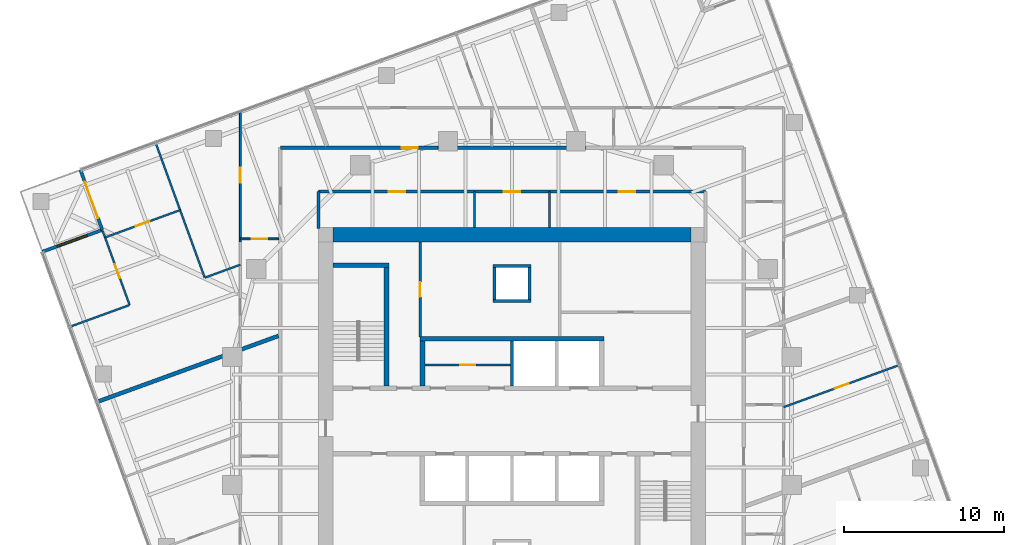
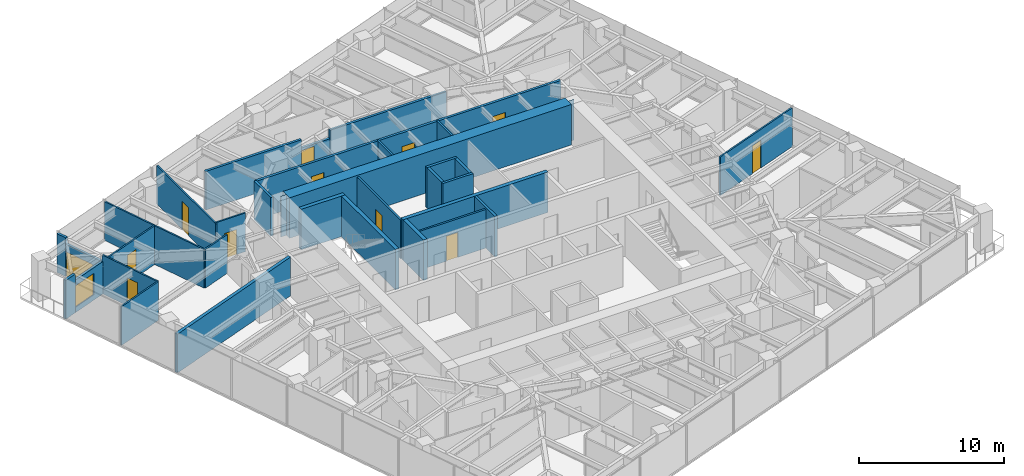
# One storey, part 10 of 13: 32 walls, 12 doors, 1 window, 13 openings.
"""IFC4 building model written with IfcOpenShell, lengths in metres."""

from ifc_helpers import new_model, si_unit, direction, frame, frame_2d, origin, place, context, subcontext, project, spatial, polyline, rectangle, outline, extrude, material, layer, layer_set, type_object, element, fill, save


model = new_model("IFC4")

# Units and contexts
model_context = context("Model", 3, precision=1e-05, world=origin(), true_north=direction((0.0, 1.0)))
body_context = subcontext(model_context, "Body", "Model", "MODEL_VIEW")
ifc_project = project(units=[si_unit("LENGTHUNIT", "METRE"), si_unit("AREAUNIT", "SQUARE_METRE"), si_unit("VOLUMEUNIT", "CUBIC_METRE"), si_unit("PLANEANGLEUNIT", "RADIAN"), si_unit("MASSUNIT", "GRAM", prefix="KILO")], contexts=[model_context])

# Site, building, storey
site_placement = place(None, origin())
site = spatial("IfcSite", under=ifc_project, at=site_placement, CompositionType="ELEMENT")
building_placement = place(site_placement, origin())
building = spatial("IfcBuilding", under=site, at=building_placement, Name="Torsade Residences", CompositionType="ELEMENT")
storey_placement = place(building_placement, frame((0.0, 0.0, 157.39990234375)))
storey = spatial("IfcBuildingStorey", under=building, at=storey_placement, Name="L43", CompositionType="ELEMENT", Elevation=157.39990234375)

# Walls
ifc_material_1 = material(Name="Concrete 80 MPa", Category="concrete")
ifc_layer_1 = layer(ifc_material_1, 0.300048828125)
ifc_layer_set_1 = layer_set([ifc_layer_1], Name="Concrete 80 MPa")
wall_type_1 = type_object("IfcWallType", Name="CORE INTERNAL WALL 300", PredefinedType="SHEAR", material=ifc_layer_set_1)
wall_1_placement = place(storey_placement, frame((34.25, 35.14990234375, 0.0), z_axis=(0.0, 0.0, 1.0), x_axis=(1.0, 0.0, 0.0)))
element("IfcWall", 1, at=wall_1_placement, inside=storey, type_object=wall_type_1, Name="Core wall BN L43", PredefinedType="SHEAR", context=body_context, shape_type="SweptSolid", body=[
    extrude(rectangle(XDim=11.5, YDim=0.300048828125, at=frame_2d((5.75, 0.0))), origin(), (0.0, 0.0, 1.0), 3.400146484375),
])
wall_2_placement = place(storey_placement, frame((34.39990234375, 32.199951171875, 0.0), z_axis=(0.0, 0.0, 1.0), x_axis=(0.0, 1.0, 0.0)))
element("IfcWall", 2, at=wall_2_placement, inside=storey, type_object=wall_type_1, Name="Core wall DN0 L43", PredefinedType="SHEAR", context=body_context, shape_type="SweptSolid", body=[
    extrude(rectangle(XDim=2.800048828125, YDim=0.300048828125, at=frame_2d((1.39990234375, 0.0))), origin(), (0.0, 0.0, 1.0), 3.400146484375),
])
wall_3_placement = place(storey_placement, frame((32.14990234375, 32.199951171875, 0.0), z_axis=(0.0, 0.0, 1.0), x_axis=(0.0, 1.0, 0.0)))
element("IfcWall", 3, at=wall_3_placement, inside=storey, type_object=wall_type_1, Name="Core wall ST1E L43", PredefinedType="SHEAR", context=body_context, shape_type="SweptSolid", body=[
    extrude(rectangle(XDim=7.699951171875, YDim=0.300048828125, at=frame_2d((3.85009765625, 0.0))), origin(), (0.0, 0.0, 1.0), 3.400146484375),
])
wall_4_placement = place(storey_placement, frame((28.800048828125, 39.75, 0.0), z_axis=(0.0, 0.0, 1.0), x_axis=(1.0, 0.0, 0.0)))
element("IfcWall", 4, at=wall_4_placement, inside=storey, type_object=wall_type_1, Name="Core wall ST1N L43", PredefinedType="SHEAR", context=body_context, shape_type="SweptSolid", body=[
    extrude(rectangle(XDim=3.5, YDim=0.300048828125, at=frame_2d((1.75, 0.0))), origin(), (0.0, 0.0, 1.0), 3.400146484375),
])
ifc_material_2 = material(Name="Concrete 80 MPa", Category="concrete")
ifc_layer_2 = layer(ifc_material_2, 0.89990234375)
ifc_layer_set_2 = layer_set([ifc_layer_2], Name="Concrete 80 MPa")
wall_type_2 = type_object("IfcWallType", Name="CORE WALL 900", PredefinedType="SHEAR", material=ifc_layer_set_2)
wall_5_placement = place(storey_placement, frame((28.800048828125, 41.64990234375, 0.0), z_axis=(0.0, 0.0, 1.0), x_axis=(1.0, 0.0, 0.0)))
element("IfcWall", 5, at=wall_5_placement, inside=storey, type_object=wall_type_2, Name="Core wall N L43", PredefinedType="SHEAR", context=body_context, shape_type="SweptSolid", body=[
    extrude(outline(polyline([(0.0, -0.449951171875), (22.39990234375, -0.449951171875), (22.39990234375, -0.02490234375), (22.849853515625, -0.02490234375), (22.849853515625, 0.02490234375), (22.39990234375, 0.02490234375), (22.39990234375, 0.449951171875), (0.0, 0.449951171875), (0.0, 0.02490234375), (-0.449951171875, 0.02490234375), (-0.449951171875, -0.02490234375), (0.0, -0.02490234375), (0.0, -0.449951171875)])), origin(), (0.0, 0.0, 1.0), 3.400146484375),
])
ifc_material_3 = material(Name="Plasterboard on steel stud", Category="steel")
ifc_layer_3 = layer(ifc_material_3, 0.199951171875)
ifc_layer_set_3 = layer_set([ifc_layer_3], Name="Plasterboard on steel stud")
wall_type_3 = type_object("IfcWallType", Name="CORRIDOR WALL 200", PredefinedType="PARTITIONING", material=ifc_layer_set_3)
wall_6_placement = place(storey_placement, frame((44.625, 47.10009765625, 0.0), z_axis=(0.0, 0.0, 1.0), x_axis=(-1.0, 0.0, 0.0)))
element("IfcWall", 6, at=wall_6_placement, inside=storey, type_object=wall_type_3, Name="Corridor wall L43", PredefinedType="PARTITIONING", context=body_context, shape_type="SweptSolid", body=[
    extrude(rectangle(XDim=9.25, YDim=0.199951171875, at=frame_2d((4.625, 0.0))), origin(), (0.0, 0.0, 1.0), 3.25),
])

# Wall, opening, door
wall_7_placement = place(storey_placement, frame((35.375, 47.10009765625, 0.0), z_axis=(0.0, 0.0, 1.0), x_axis=(-1.0, 0.0, 0.0)))
wall_7 = element("IfcWall", 7, at=wall_7_placement, inside=storey, type_object=wall_type_3, Name="Corridor wall L43", PredefinedType="PARTITIONING", context=body_context, shape_type="SweptSolid", body=[
    extrude(rectangle(XDim=2.276611328125, YDim=0.199951171875, at=frame_2d((1.13818359375, 0.0))), origin(), (0.0, 0.0, 1.0), 2.550048828125),
])
opening_1_placement = place(wall_7_placement, frame((1.256591796875, 0.0, 0.0)))
opening_1 = element("IfcOpeningElement", 8, at=opening_1_placement, cuts=wall_7, Name="Opening D01", PredefinedType="OPENING", context=body_context, shape_type="SweptSolid", body=[
    extrude(rectangle(XDim=1.02001953125, YDim=2.340087890625, at=frame_2d((0.510009765625, 1.169921875))), frame((0.0, 0.10986328125, 0.0), z_axis=(0.0, -1.0, 0.0), x_axis=(1.0, 0.0, 0.0)), (0.0, 0.0, 1.0), 0.219970703125),
])
ifc_material_4 = material(Name="Solid-core timber fire door", Category="wood")
door_type_1 = type_object("IfcDoorType", Name="APARTMENT ENTRY DOOR 1020x2340", OperationType="NOTDEFINED", PredefinedType="DOOR", material=ifc_material_4)
door_1_placement = place(opening_1_placement, origin())
door_1 = element("IfcDoor", 9, at=door_1_placement, inside=storey, type_object=door_type_1, Name="Door Residential corridor to Kitchen and dining", OperationType="SINGLE_SWING_LEFT", OverallHeight=2.340087890625, OverallWidth=1.02001953125, PredefinedType="DOOR", context=body_context, shape_type="SweptSolid", body=[
    extrude(rectangle(XDim=1.02001953125, YDim=2.340087890625, at=frame_2d((0.510009765625, 1.169921875))), frame((0.0, 0.02490234375, 0.0), z_axis=(0.0, -1.0, 0.0), x_axis=(1.0, 0.0, 0.0)), (0.0, 0.0, 1.0), 0.050048828125),
])
fill(opening_1, door_1)

# Wall
wall_8_placement = place(storey_placement, frame((33.098388671875, 47.10009765625, 0.0), z_axis=(0.0, 0.0, 1.0), x_axis=(-1.0, 0.0, 0.0)))
element("IfcWall", 10, at=wall_8_placement, inside=storey, type_object=wall_type_3, Name="Corridor wall L43", PredefinedType="PARTITIONING", context=body_context, shape_type="SweptSolid", body=[
    extrude(rectangle(XDim=7.598388671875, YDim=0.199951171875, at=frame_2d((3.79931640625, 0.0))), origin(), (0.0, 0.0, 1.0), 3.25),
])

# Wall, openings, doors
wall_9_placement = place(storey_placement, frame((52.10009765625, 44.35009765625, 0.0), z_axis=(0.0, 0.0, 1.0), x_axis=(-1.0, 0.0, 0.0)))
wall_9 = element("IfcWall", 11, at=wall_9_placement, inside=storey, type_object=wall_type_3, Name="Corridor wall L43", PredefinedType="PARTITIONING", context=body_context, shape_type="SweptSolid", body=[
    extrude(rectangle(XDim=24.2001953125, YDim=0.199951171875, at=frame_2d((12.10009765625, 0.0))), origin(), (0.0, 0.0, 1.0), 3.25),
])
opening_2_placement = place(wall_9_placement, frame((18.788818359375, 0.0, 0.0)))
opening_2 = element("IfcOpeningElement", 12, at=opening_2_placement, cuts=wall_9, Name="Opening D03", PredefinedType="OPENING", context=body_context, shape_type="SweptSolid", body=[
    extrude(rectangle(XDim=1.02001953125, YDim=2.10009765625, at=frame_2d((0.510009765625, 1.050048828125))), frame((0.0, 0.10986328125, 0.0), z_axis=(0.0, -1.0, 0.0), x_axis=(1.0, 0.0, 0.0)), (0.0, 0.0, 1.0), 0.219970703125),
])
opening_3_placement = place(wall_9_placement, frame((4.391357421875, 0.0, 0.0)))
opening_3 = element("IfcOpeningElement", 13, at=opening_3_placement, cuts=wall_9, Name="Opening D03", PredefinedType="OPENING", context=body_context, shape_type="SweptSolid", body=[
    extrude(rectangle(XDim=1.02001953125, YDim=2.10009765625, at=frame_2d((0.510009765625, 1.050048828125))), frame((0.0, 0.10986328125, 0.0), z_axis=(0.0, -1.0, 0.0), x_axis=(1.0, 0.0, 0.0)), (0.0, 0.0, 1.0), 0.219970703125),
])
opening_4_placement = place(wall_9_placement, frame((11.590087890625, 0.0, 0.0)))
opening_4 = element("IfcOpeningElement", 14, at=opening_4_placement, cuts=wall_9, Name="Opening D03", PredefinedType="OPENING", context=body_context, shape_type="SweptSolid", body=[
    extrude(rectangle(XDim=1.02001953125, YDim=2.10009765625, at=frame_2d((0.510009765625, 1.050048828125))), frame((0.0, 0.10986328125, 0.0), z_axis=(0.0, -1.0, 0.0), x_axis=(1.0, 0.0, 0.0)), (0.0, 0.0, 1.0), 0.219970703125),
])
ifc_material_5 = material(Name="Steel-framed fire door", Category="steel")
door_type_2 = type_object("IfcDoorType", Name="FIRE DOOR 1020", OperationType="NOTDEFINED", PredefinedType="DOOR", material=ifc_material_5)
door_2_placement = place(opening_2_placement, origin())
door_2 = element("IfcDoor", 15, at=door_2_placement, inside=storey, type_object=door_type_2, Name="Door Residential corridor to Residents storage", OperationType="SINGLE_SWING_RIGHT", OverallHeight=2.10009765625, OverallWidth=1.02001953125, PredefinedType="DOOR", context=body_context, shape_type="SweptSolid", body=[
    extrude(rectangle(XDim=1.02001953125, YDim=2.10009765625, at=frame_2d((0.510009765625, 1.050048828125))), frame((0.0, 0.02490234375, 0.0), z_axis=(0.0, -1.0, 0.0), x_axis=(1.0, 0.0, 0.0)), (0.0, 0.0, 1.0), 0.050048828125),
])
fill(opening_2, door_2)
door_3_placement = place(opening_3_placement, origin())
door_3 = element("IfcDoor", 16, at=door_3_placement, inside=storey, type_object=door_type_2, Name="Door Residential corridor to Parcel room", OperationType="SINGLE_SWING_LEFT", OverallHeight=2.10009765625, OverallWidth=1.02001953125, PredefinedType="DOOR", context=body_context, shape_type="SweptSolid", body=[
    extrude(rectangle(XDim=1.02001953125, YDim=2.10009765625, at=frame_2d((0.510009765625, 1.050048828125))), frame((0.0, 0.02490234375, 0.0), z_axis=(0.0, -1.0, 0.0), x_axis=(1.0, 0.0, 0.0)), (0.0, 0.0, 1.0), 0.050048828125),
])
fill(opening_3, door_3)
door_4_placement = place(opening_4_placement, origin())
door_4 = element("IfcDoor", 17, at=door_4_placement, inside=storey, type_object=door_type_2, Name="Door Residential corridor to Bulk store", OperationType="SINGLE_SWING_RIGHT", OverallHeight=2.10009765625, OverallWidth=1.02001953125, PredefinedType="DOOR", context=body_context, shape_type="SweptSolid", body=[
    extrude(rectangle(XDim=1.02001953125, YDim=2.10009765625, at=frame_2d((0.510009765625, 1.050048828125))), frame((0.0, 0.02490234375, 0.0), z_axis=(0.0, -1.0, 0.0), x_axis=(1.0, 0.0, 0.0)), (0.0, 0.0, 1.0), 0.050048828125),
])
fill(opening_4, door_4)

# Walls
wall_10_placement = place(storey_placement, frame((27.89990234375, 44.35009765625, 0.0), z_axis=(0.0, 0.0, 1.0), x_axis=(0.0, -1.0, 0.0)))
element("IfcWall", 18, at=wall_10_placement, inside=storey, type_object=wall_type_3, Name="Corridor wall L43", PredefinedType="PARTITIONING", context=body_context, shape_type="SweptSolid", body=[
    extrude(rectangle(XDim=2.300048828125, YDim=0.199951171875, at=frame_2d((1.14990234375, 0.0))), origin(), (0.0, 0.0, 1.0), 3.25),
])
ifc_material_6 = material(Name="Reinforced blockwork", Category="masonry")
ifc_layer_4 = layer(ifc_material_6, 0.199951171875)
ifc_layer_set_4 = layer_set([ifc_layer_4], Name="Reinforced blockwork")
wall_type_4 = type_object("IfcWallType", Name="LIFT SHAFT DIVIDING WALL 200", PredefinedType="SOLIDWALL", material=ifc_layer_set_4)
wall_11_placement = place(storey_placement, frame((40.0, 32.199951171875, 0.0), z_axis=(0.0, 0.0, 1.0), x_axis=(0.0, 1.0, 0.0)))
element("IfcWall", 19, at=wall_11_placement, inside=storey, type_object=wall_type_4, Name="Core wall DN2 L43", PredefinedType="SOLIDWALL", context=body_context, shape_type="SweptSolid", body=[
    extrude(rectangle(XDim=2.800048828125, YDim=0.199951171875, at=frame_2d((1.39990234375, 0.0))), origin(), (0.0, 0.0, 1.0), 3.400146484375),
])

# Wall, opening, door
ifc_material_7 = material(Name="Plasterboard on steel stud", Category="steel")
ifc_layer_5 = layer(ifc_material_7, 0.1201171875)
ifc_layer_set_5 = layer_set([ifc_layer_5], Name="Plasterboard on steel stud")
wall_type_5 = type_object("IfcWallType", Name="PARTITION 120", PredefinedType="PARTITIONING", material=ifc_layer_set_5)
wall_12_placement = place(storey_placement, frame((57.0, 30.866455078125, 0.0), z_axis=(0.0, 0.0, 1.0), x_axis=(0.939685835373, 0.342038785519, 0.0)))
wall_12 = element("IfcWall", 20, at=wall_12_placement, inside=storey, type_object=wall_type_5, Name="Partition L43", PredefinedType="PARTITIONING", context=body_context, shape_type="SweptSolid", body=[
    extrude(rectangle(XDim=7.68896484375, YDim=0.1201171875, at=frame_2d((3.844482421875, 0.0))), origin(), (0.0, 0.0, 1.0), 3.25),
])
opening_5_placement = place(wall_12_placement, frame((3.404296875, 0.0, 0.0)))
opening_5 = element("IfcOpeningElement", 21, at=opening_5_placement, cuts=wall_12, Name="Opening D02", PredefinedType="OPENING", context=body_context, shape_type="SweptSolid", body=[
    extrude(rectangle(XDim=0.919921875, YDim=2.340087890625, at=frame_2d((0.4599609375, 1.169921875))), frame((0.0, 0.070068359375, 0.0), z_axis=(0.0, -1.0, 0.0), x_axis=(1.0, 0.0, 0.0)), (0.0, 0.0, 1.0), 0.14013671875),
])
ifc_material_8 = material(Name="Hollow-core timber door", Category="wood")
door_type_3 = type_object("IfcDoorType", Name="INTERNAL DOOR 920x2340", OperationType="NOTDEFINED", PredefinedType="DOOR", material=ifc_material_8)
door_5_placement = place(opening_5_placement, origin())
door_5 = element("IfcDoor", 22, at=door_5_placement, inside=storey, type_object=door_type_3, Name="Door Living room to Bedroom 1", OperationType="SINGLE_SWING_RIGHT", OverallHeight=2.340087890625, OverallWidth=0.919921875, PredefinedType="DOOR", context=body_context, shape_type="SweptSolid", body=[
    extrude(rectangle(XDim=0.919921875, YDim=2.340087890625, at=frame_2d((0.4599609375, 1.169921875))), frame((0.0, 0.02490234375, 0.0), z_axis=(0.0, -1.0, 0.0), x_axis=(1.0, 0.0, 0.0)), (0.0, 0.0, 1.0), 0.050048828125),
])
fill(opening_5, door_5)

wall_13_placement = place(storey_placement, frame((25.39990234375, 41.389892578125, 0.0), z_axis=(0.0, 0.0, 1.0), x_axis=(-1.0, 0.0, 0.0)))
wall_13 = element("IfcWall", 23, at=wall_13_placement, inside=storey, type_object=wall_type_5, Name="Partition L43", PredefinedType="PARTITIONING", context=body_context, shape_type="SweptSolid", body=[
    extrude(rectangle(XDim=2.39990234375, YDim=0.1201171875, at=frame_2d((1.199951171875, 0.0))), origin(), (0.0, 0.0, 1.0), 3.25),
])
opening_6_placement = place(wall_13_placement, frame((0.719970703125, 0.0, 0.0)))
opening_6 = element("IfcOpeningElement", 24, at=opening_6_placement, cuts=wall_13, Name="Opening D05", PredefinedType="OPENING", context=body_context, shape_type="SweptSolid", body=[
    extrude(rectangle(XDim=0.9599609375, YDim=2.10009765625, at=frame_2d((0.47998046875, 1.050048828125))), frame((0.0, 0.070068359375, 0.0), z_axis=(0.0, -1.0, 0.0), x_axis=(1.0, 0.0, 0.0)), (0.0, 0.0, 1.0), 0.14013671875),
])
ifc_material_9 = material(Name="Hollow-core timber door in a steel cavity frame", Category="steel")
door_type_4 = type_object("IfcDoorType", Name="BATHROOM CAVITY SLIDING DOOR 960", OperationType="SLIDING_TO_LEFT", PredefinedType="DOOR", material=ifc_material_9)
door_6_placement = place(opening_6_placement, origin())
door_6 = element("IfcDoor", 25, at=door_6_placement, inside=storey, type_object=door_type_4, Name="Door Kitchen and dining to Bathroom", OperationType="SLIDING_TO_LEFT", OverallHeight=2.10009765625, OverallWidth=0.9599609375, PredefinedType="DOOR", context=body_context, shape_type="SweptSolid", body=[
    extrude(rectangle(XDim=0.9599609375, YDim=2.10009765625, at=frame_2d((0.47998046875, 1.050048828125))), frame((0.0, 0.02490234375, 0.0), z_axis=(0.0, -1.0, 0.0), x_axis=(1.0, 0.0, 0.0)), (0.0, 0.0, 1.0), 0.050048828125),
])
fill(opening_6, door_6)

# Walls
wall_14_placement = place(storey_placement, frame((17.709716796875, 47.384765625, 0.0), z_axis=(0.0, 0.0, 1.0), x_axis=(0.342034340019, -0.939687453491, 0.0)))
element("IfcWall", 26, at=wall_14_placement, inside=storey, type_object=wall_type_5, Name="Partition L43", PredefinedType="PARTITIONING", context=body_context, shape_type="SweptSolid", body=[
    extrude(rectangle(XDim=8.9501953125, YDim=0.1201171875, at=frame_2d((4.47509765625, 0.0))), origin(), (0.0, 0.0, 1.0), 3.25),
])
wall_15_placement = place(storey_placement, frame((20.78369140625, 38.968505859375, 0.0), z_axis=(0.0, 0.0, 1.0), x_axis=(0.939696672396, 0.342009011412, 0.0)))
element("IfcWall", 27, at=wall_15_placement, inside=storey, type_object=wall_type_5, Name="Partition L43", PredefinedType="PARTITIONING", context=body_context, shape_type="SweptSolid", body=[
    extrude(rectangle(XDim=2.358642578125, YDim=0.1201171875, at=frame_2d((1.17919921875, 0.0))), origin(), (0.0, 0.0, 1.0), 3.25),
])

# Wall, opening, door
wall_16_placement = place(storey_placement, frame((14.536865234375, 41.483642578125, 0.0), z_axis=(0.0, 0.0, 1.0), x_axis=(0.939696437289, 0.342009657388, 0.0)))
wall_16 = element("IfcWall", 28, at=wall_16_placement, inside=storey, type_object=wall_type_5, Name="Partition L43", PredefinedType="PARTITIONING", context=body_context, shape_type="SweptSolid", body=[
    extrude(rectangle(XDim=4.999755859375, YDim=0.1201171875, at=frame_2d((2.5, 0.0))), origin(), (0.0, 0.0, 1.0), 3.25),
])
opening_7_placement = place(wall_16_placement, frame((2.039794921875, 0.0, 0.0)))
opening_7 = element("IfcOpeningElement", 29, at=opening_7_placement, cuts=wall_16, Name="Opening D02", PredefinedType="OPENING", context=body_context, shape_type="SweptSolid", body=[
    extrude(rectangle(XDim=0.919921875, YDim=2.340087890625, at=frame_2d((0.4599609375, 1.169921875))), frame((0.0, 0.070068359375, 0.0), z_axis=(0.0, -1.0, 0.0), x_axis=(1.0, 0.0, 0.0)), (0.0, 0.0, 1.0), 0.14013671875),
])
door_7_placement = place(opening_7_placement, origin())
door_7 = element("IfcDoor", 30, at=door_7_placement, inside=storey, type_object=door_type_3, Name="Door Living room to Bedroom 2", OperationType="SINGLE_SWING_RIGHT", OverallHeight=2.340087890625, OverallWidth=0.919921875, PredefinedType="DOOR", context=body_context, shape_type="SweptSolid", body=[
    extrude(rectangle(XDim=0.919921875, YDim=2.340087890625, at=frame_2d((0.4599609375, 1.169921875))), frame((0.0, 0.02490234375, 0.0), z_axis=(0.0, -1.0, 0.0), x_axis=(1.0, 0.0, 0.0)), (0.0, 0.0, 1.0), 0.050048828125),
])
fill(opening_7, door_7)

# Wall
wall_17_placement = place(storey_placement, frame((12.354736328125, 35.900634765625, 0.0), z_axis=(0.0, 0.0, 1.0), x_axis=(0.939701350773, 0.341996156931, 0.0)))
element("IfcWall", 31, at=wall_17_placement, inside=storey, type_object=wall_type_5, Name="Partition L43", PredefinedType="PARTITIONING", context=body_context, shape_type="SweptSolid", body=[
    extrude(rectangle(XDim=3.949951171875, YDim=0.1201171875, at=frame_2d((1.97509765625, 0.0))), origin(), (0.0, 0.0, 1.0), 3.25),
])

# Wall, opening, door
wall_18_placement = place(storey_placement, frame((16.072509765625, 37.264404296875, 0.0), z_axis=(0.0, 0.0, 1.0), x_axis=(-0.34204797738, 0.939682489552, 0.0)))
wall_18 = element("IfcWall", 32, at=wall_18_placement, inside=storey, type_object=wall_type_5, Name="Partition L43", PredefinedType="PARTITIONING", context=body_context, shape_type="SweptSolid", body=[
    extrude(rectangle(XDim=4.949951171875, YDim=0.1201171875, at=frame_2d((2.47509765625, 0.0))), origin(), (0.0, 0.0, 1.0), 3.25),
])
opening_8_placement = place(wall_18_placement, frame((1.784912109375, 0.0, 0.0)))
opening_8 = element("IfcOpeningElement", 33, at=opening_8_placement, cuts=wall_18, Name="Opening D02", PredefinedType="OPENING", context=body_context, shape_type="SweptSolid", body=[
    extrude(rectangle(XDim=0.919921875, YDim=2.340087890625, at=frame_2d((0.4599609375, 1.169921875))), frame((0.0, 0.070068359375, 0.0), z_axis=(0.0, -1.0, 0.0), x_axis=(1.0, 0.0, 0.0)), (0.0, 0.0, 1.0), 0.14013671875),
])
door_8_placement = place(opening_8_placement, origin())
door_8 = element("IfcDoor", 34, at=door_8_placement, inside=storey, type_object=door_type_3, Name="Door Living room to Bedroom 3", OperationType="SINGLE_SWING_LEFT", OverallHeight=2.340087890625, OverallWidth=0.919921875, PredefinedType="DOOR", context=body_context, shape_type="SweptSolid", body=[
    extrude(rectangle(XDim=0.919921875, YDim=2.340087890625, at=frame_2d((0.4599609375, 1.169921875))), frame((0.0, 0.02490234375, 0.0), z_axis=(0.0, -1.0, 0.0), x_axis=(1.0, 0.0, 0.0)), (0.0, 0.0, 1.0), 0.050048828125),
])
fill(opening_8, door_8)

wall_19_placement = place(storey_placement, frame((23.0, 41.212158203125, 0.0), z_axis=(0.0, 0.0, 1.0), x_axis=(0.0, 1.0, 0.0)))
wall_19 = element("IfcWall", 35, at=wall_19_placement, inside=storey, type_object=wall_type_5, Name="Partition L43", PredefinedType="PARTITIONING", context=body_context, shape_type="SweptSolid", body=[
    extrude(rectangle(XDim=8.09814453125, YDim=0.1201171875, at=frame_2d((4.049072265625, 0.0))), origin(), (0.0, 0.0, 1.0), 3.25),
])
opening_9_placement = place(wall_19_placement, frame((3.69921875, 0.0, 0.0)))
opening_9 = element("IfcOpeningElement", 36, at=opening_9_placement, cuts=wall_19, Name="Opening D02", PredefinedType="OPENING", context=body_context, shape_type="SweptSolid", body=[
    extrude(rectangle(XDim=0.919921875, YDim=2.340087890625, at=frame_2d((0.4599609375, 1.169921875))), frame((0.0, 0.070068359375, 0.0), z_axis=(0.0, -1.0, 0.0), x_axis=(1.0, 0.0, 0.0)), (0.0, 0.0, 1.0), 0.14013671875),
])
door_9_placement = place(opening_9_placement, origin())
door_9 = element("IfcDoor", 37, at=door_9_placement, inside=storey, type_object=door_type_3, Name="Door Kitchen and dining to Bedroom 1", OperationType="SINGLE_SWING_LEFT", OverallHeight=2.340087890625, OverallWidth=0.919921875, PredefinedType="DOOR", context=body_context, shape_type="SweptSolid", body=[
    extrude(rectangle(XDim=0.919921875, YDim=2.340087890625, at=frame_2d((0.4599609375, 1.169921875))), frame((0.0, 0.02490234375, 0.0), z_axis=(0.0, -1.0, 0.0), x_axis=(1.0, 0.0, 0.0)), (0.0, 0.0, 1.0), 0.050048828125),
])
fill(opening_9, door_9)

# Walls
ifc_material_10 = material(Name="Masonry-lined stud party wall", Category="masonry")
ifc_layer_6 = layer(ifc_material_10, 0.25)
ifc_layer_set_6 = layer_set([ifc_layer_6], Name="Masonry-lined stud party wall")
wall_type_6 = type_object("IfcWallType", Name="PARTY WALL 250", PredefinedType="PARTITIONING", material=ifc_layer_set_6)
wall_20_placement = place(storey_placement, frame((14.027099609375, 31.1884765625, 0.0), z_axis=(0.0, 0.0, 1.0), x_axis=(0.939693801585, 0.342016899091, 0.0)))
element("IfcWall", 38, at=wall_20_placement, inside=storey, type_object=wall_type_6, Name="Party wall L43", PredefinedType="PARTITIONING", context=body_context, shape_type="SweptSolid", body=[
    extrude(rectangle(XDim=12.09716796875, YDim=0.25, at=frame_2d((6.048583984375, 0.0))), origin(), (0.0, 0.0, 1.0), 3.25),
])
ifc_material_11 = material(Name="Reinforced blockwork", Category="masonry")
ifc_layer_7 = layer(ifc_material_11, 0.199951171875)
ifc_layer_set_7 = layer_set([ifc_layer_7], Name="Reinforced blockwork")
wall_type_7 = type_object("IfcWallType", Name="RISER SHAFT WALL 200", PredefinedType="SOLIDWALL", material=ifc_layer_set_7)
for number, where, z_axis, x_axis, name in (
    (39, (38.89990234375, 37.60009765625, 0.0), (0.0, 0.0, 1.0), (0.0, 1.0, 0.0), "Core wall RS1a L43"),
    (40, (41.10009765625, 37.60009765625, 0.0), (0.0, 0.0, 1.0), (0.0, 1.0, 0.0), "Core wall RS1b L43"),
):
    element("IfcWall", number, at=place(storey_placement, frame(where, z_axis=z_axis, x_axis=x_axis)), inside=storey, type_object=wall_type_7, Name=name, PredefinedType="SOLIDWALL", context=body_context, shape_type="SweptSolid", body=[
        extrude(rectangle(XDim=2.0, YDim=0.199951171875, at=frame_2d((1.0, 0.0))), origin(), (0.0, 0.0, 1.0), 3.400146484375),
    ])
for number, where, z_axis, x_axis, name in (
    (41, (38.800048828125, 37.5, 0.0), (0.0, 0.0, 1.0), (1.0, 0.0, 0.0), "Core wall RS1c L43"),
    (42, (38.800048828125, 39.699951171875, 0.0), (0.0, 0.0, 1.0), (1.0, 0.0, 0.0), "Core wall RS1d L43"),
):
    element("IfcWall", number, at=place(storey_placement, frame(where, z_axis=z_axis, x_axis=x_axis)), inside=storey, type_object=wall_type_7, Name=name, PredefinedType="SOLIDWALL", context=body_context, shape_type="SweptSolid", body=[
        extrude(rectangle(XDim=2.39990234375, YDim=0.199951171875, at=frame_2d((1.199951171875, 0.0))), origin(), (0.0, 0.0, 1.0), 3.400146484375),
    ])

# Wall, opening, door
ifc_material_12 = material(Name="Reinforced blockwork", Category="masonry")
ifc_layer_8 = layer(ifc_material_12, 0.14990234375)
ifc_layer_set_8 = layer_set([ifc_layer_8], Name="Reinforced blockwork")
wall_type_8 = type_object("IfcWallType", Name="SERVICE ROOM WALL 150", PredefinedType="SOLIDWALL", material=ifc_layer_set_8)
wall_21_placement = place(storey_placement, frame((34.25, 41.199951171875, 0.0), z_axis=(0.0, 0.0, 1.0), x_axis=(0.0, -1.0, 0.0)))
wall_21 = element("IfcWall", 43, at=wall_21_placement, inside=storey, type_object=wall_type_8, Name="Service room wall L43", PredefinedType="SOLIDWALL", context=body_context, shape_type="SweptSolid", body=[
    extrude(rectangle(XDim=5.949951171875, YDim=0.14990234375, at=frame_2d((2.97509765625, 0.0))), origin(), (0.0, 0.0, 1.0), 3.25),
])
opening_10_placement = place(wall_21_placement, frame((2.514892578125, 0.0, 0.0)))
opening_10 = element("IfcOpeningElement", 44, at=opening_10_placement, cuts=wall_21, Name="Opening D06", PredefinedType="OPENING", context=body_context, shape_type="SweptSolid", body=[
    extrude(rectangle(XDim=0.919921875, YDim=2.10009765625, at=frame_2d((0.4599609375, 1.050048828125))), frame((0.0, 0.0849609375, 0.0), z_axis=(0.0, -1.0, 0.0), x_axis=(1.0, 0.0, 0.0)), (0.0, 0.0, 1.0), 0.169921875),
])
ifc_material_13 = material(Name="Steel-framed fire door", Category="steel")
door_type_5 = type_object("IfcDoorType", Name="FIRE DOOR 920", OperationType="NOTDEFINED", PredefinedType="DOOR", material=ifc_material_13)
door_10_placement = place(opening_10_placement, origin())
door_10 = element("IfcDoor", 45, at=door_10_placement, inside=storey, type_object=door_type_5, Name="Door Main switchboard store to Electrical riser room", OperationType="SINGLE_SWING_LEFT", OverallHeight=2.10009765625, OverallWidth=0.919921875, PredefinedType="DOOR", context=body_context, shape_type="SweptSolid", body=[
    extrude(rectangle(XDim=0.919921875, YDim=2.10009765625, at=frame_2d((0.4599609375, 1.050048828125))), frame((0.0, 0.02490234375, 0.0), z_axis=(0.0, -1.0, 0.0), x_axis=(1.0, 0.0, 0.0)), (0.0, 0.0, 1.0), 0.050048828125),
])
fill(opening_10, door_10)

# Walls
for number, where, z_axis, x_axis, name in (
    (46, (37.652587890625, 42.10009765625, 0.0), (0.0, 0.0, 1.0), (0.0, 1.0, 0.0), "Service room wall L43"),
    (47, (42.347412109375, 42.10009765625, 0.0), (0.0, 0.0, 1.0), (0.0, 1.0, 0.0), "Service room wall L43"),
):
    element("IfcWall", number, at=place(storey_placement, frame(where, z_axis=z_axis, x_axis=x_axis)), inside=storey, type_object=wall_type_8, Name=name, PredefinedType="SOLIDWALL", context=body_context, shape_type="SweptSolid", body=[
        extrude(rectangle(XDim=2.25, YDim=0.14990234375, at=frame_2d((1.125, 0.0))), origin(), (0.0, 0.0, 1.0), 3.25),
    ])

# Wall, opening, door
wall_22_placement = place(storey_placement, frame((34.550048828125, 33.5, 0.0), z_axis=(0.0, 0.0, 1.0), x_axis=(1.0, 0.0, 0.0)))
wall_22 = element("IfcWall", 48, at=wall_22_placement, inside=storey, type_object=wall_type_8, Name="Service room wall L43", PredefinedType="SOLIDWALL", context=body_context, shape_type="SweptSolid", body=[
    extrude(rectangle(XDim=5.349853515625, YDim=0.14990234375, at=frame_2d((2.6748046875, 0.0))), origin(), (0.0, 0.0, 1.0), 3.25),
])
opening_11_placement = place(wall_22_placement, frame((2.215087890625, 0.0, 0.0)))
opening_11 = element("IfcOpeningElement", 49, at=opening_11_placement, cuts=wall_22, Name="Opening D06", PredefinedType="OPENING", context=body_context, shape_type="SweptSolid", body=[
    extrude(rectangle(XDim=0.919921875, YDim=2.10009765625, at=frame_2d((0.4599609375, 1.050048828125))), frame((0.0, 0.0849609375, 0.0), z_axis=(0.0, -1.0, 0.0), x_axis=(1.0, 0.0, 0.0)), (0.0, 0.0, 1.0), 0.169921875),
])
door_11_placement = place(opening_11_placement, origin())
door_11 = element("IfcDoor", 50, at=door_11_placement, inside=storey, type_object=door_type_5, Name="Door Communications room L43A to Records store L43B", OperationType="SINGLE_SWING_RIGHT", OverallHeight=2.10009765625, OverallWidth=0.919921875, PredefinedType="DOOR", context=body_context, shape_type="SweptSolid", body=[
    extrude(rectangle(XDim=0.919921875, YDim=2.10009765625, at=frame_2d((0.4599609375, 1.050048828125))), frame((0.0, 0.02490234375, 0.0), z_axis=(0.0, -1.0, 0.0), x_axis=(1.0, 0.0, 0.0)), (0.0, 0.0, 1.0), 0.050048828125),
])
fill(opening_11, door_11)

# Wall
ifc_material_14 = material(Name="Stone-faced precast concrete 40 MPa panel", Category="masonry")
ifc_layer_9 = layer(ifc_material_14, 0.199951171875)
ifc_layer_set_9 = layer_set([ifc_layer_9], Name="Stone-faced precast concrete 40 MPa panel")
wall_type_9 = type_object("IfcWallType", Name="TERRACE WALL 200", PredefinedType="SOLIDWALL", material=ifc_layer_set_9)
wall_23_placement = place(storey_placement, frame((12.99755859375, 45.712158203125, 0.0), z_axis=(0.0, 0.0, 1.0), x_axis=(0.342110593602, -0.939659694648, 0.0)))
element("IfcWall", 51, at=wall_23_placement, inside=storey, type_object=wall_type_9, Name="Terrace wall L43 8", PredefinedType="SOLIDWALL", context=body_context, shape_type="SweptSolid", body=[
    extrude(rectangle(XDim=0.800048828125, YDim=0.199951171875, at=frame_2d((0.39990234375, 0.0))), origin(), (0.0, 0.0, 1.0), 3.25),
])

# Wall, opening, door
wall_24_placement = place(storey_placement, frame((13.271240234375, 44.96044921875, 0.0), z_axis=(0.0, 0.0, 1.0), x_axis=(0.342018703306, -0.939693144909, 0.0)))
wall_24 = element("IfcWall", 52, at=wall_24_placement, inside=storey, type_object=wall_type_9, Name="Terrace wall L43 8", PredefinedType="SOLIDWALL", context=body_context, shape_type="SweptSolid", body=[
    extrude(rectangle(XDim=3.199951171875, YDim=0.199951171875, at=frame_2d((1.60009765625, 0.0))), origin(), (0.0, 0.0, 1.0), 2.72216796875),
])
opening_12_placement = place(wall_24_placement, origin())
opening_12 = element("IfcOpeningElement", 53, at=opening_12_placement, cuts=wall_24, Name="Opening D10A", PredefinedType="OPENING", context=body_context, shape_type="SweptSolid", body=[
    extrude(rectangle(XDim=2.39990234375, YDim=2.10009765625, at=frame_2d((1.199951171875, 1.050048828125))), frame((0.0, 0.10986328125, 0.0), z_axis=(0.0, -1.0, 0.0), x_axis=(1.0, 0.0, 0.0)), (0.0, 0.0, 1.0), 0.219970703125),
])
ifc_material_15 = material(Name="Aluminium-framed glass door", Category="aluminium")
door_type_6 = type_object("IfcDoorType", Name="TERRACE SLIDING DOOR 2400x2100", OperationType="SLIDING_TO_LEFT", PredefinedType="DOOR", material=ifc_material_15)
door_12_placement = place(opening_12_placement, origin())
door_12 = element("IfcDoor", 54, at=door_12_placement, inside=storey, type_object=door_type_6, Name="Terrace door L43 8", OperationType="SLIDING_TO_LEFT", OverallHeight=2.10009765625, OverallWidth=2.39990234375, PredefinedType="DOOR", context=body_context, shape_type="SweptSolid", body=[
    extrude(rectangle(XDim=2.39990234375, YDim=2.10009765625, at=frame_2d((1.199951171875, 1.050048828125))), frame((0.0, 0.02490234375, 0.0), z_axis=(0.0, -1.0, 0.0), x_axis=(1.0, 0.0, 0.0)), (0.0, 0.0, 1.0), 0.050048828125),
])
fill(opening_12, door_12)

# Wall, opening, window
wall_25_placement = place(storey_placement, frame((14.36572265625, 41.953369140625, 0.0), z_axis=(0.0, 0.0, 1.0), x_axis=(-0.939712609717, -0.341965219194, 0.0)))
wall_25 = element("IfcWall", 55, at=wall_25_placement, inside=storey, type_object=wall_type_9, Name="Terrace wall L43 9", PredefinedType="SOLIDWALL", context=body_context, shape_type="SweptSolid", body=[
    extrude(rectangle(XDim=3.0, YDim=0.199951171875, at=frame_2d((1.5, 0.0))), origin(), (0.0, 0.0, 1.0), 2.72216796875),
])
opening_13_placement = place(wall_25_placement, frame((1.0, 0.0, 0.449951171875)))
opening_13 = element("IfcOpeningElement", 56, at=opening_13_placement, cuts=wall_25, Name="Opening W1B", PredefinedType="OPENING", context=body_context, shape_type="SweptSolid", body=[
    extrude(rectangle(XDim=2.0, YDim=1.800048828125, at=frame_2d((1.0, 0.89990234375))), frame((0.0, 0.10986328125, 0.0), z_axis=(0.0, -1.0, 0.0), x_axis=(1.0, 0.0, 0.0)), (0.0, 0.0, 1.0), 0.219970703125),
])
ifc_material_16 = material(Name="Aluminium-framed glass window", Category="aluminium")
window_type = type_object("IfcWindowType", Name="TERRACE WINDOW 2000x1800", PartitioningType="SINGLE_PANEL", PredefinedType="WINDOW", material=ifc_material_16)
window_placement = place(opening_13_placement, origin())
window = element("IfcWindow", 57, at=window_placement, inside=storey, type_object=window_type, Name="Terrace window L43 9", OverallHeight=1.800048828125, OverallWidth=2.0, PartitioningType="SINGLE_PANEL", PredefinedType="WINDOW", context=body_context, shape_type="SweptSolid", body=[
    extrude(rectangle(XDim=2.0, YDim=1.800048828125, at=frame_2d((1.0, 0.89990234375))), frame((0.0, 0.030029296875, 0.0), z_axis=(0.0, -1.0, 0.0), x_axis=(1.0, 0.0, 0.0)), (0.0, 0.0, 1.0), 0.06005859375),
])
fill(opening_13, window)

# Wall
wall_26_placement = place(storey_placement, frame((11.546630859375, 40.927490234375, 0.0), z_axis=(0.0, 0.0, 1.0), x_axis=(-0.939686455819, -0.342037080957, 0.0)))
element("IfcWall", 58, at=wall_26_placement, inside=storey, type_object=wall_type_9, Name="Terrace wall L43 9", PredefinedType="SOLIDWALL", context=body_context, shape_type="SweptSolid", body=[
    extrude(rectangle(XDim=1.0, YDim=0.199951171875, at=frame_2d((0.5, 0.0))), origin(), (0.0, 0.0, 1.0), 3.25),
])

save(model, "model.ifc")
